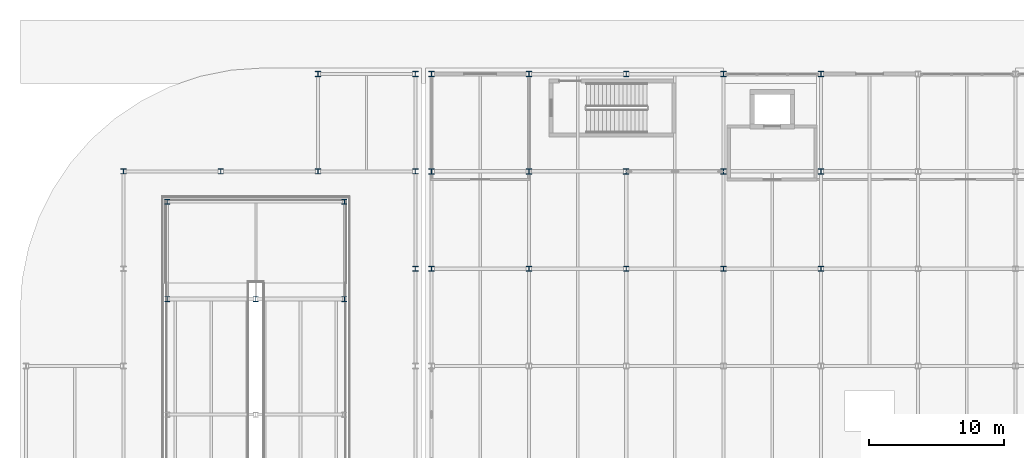
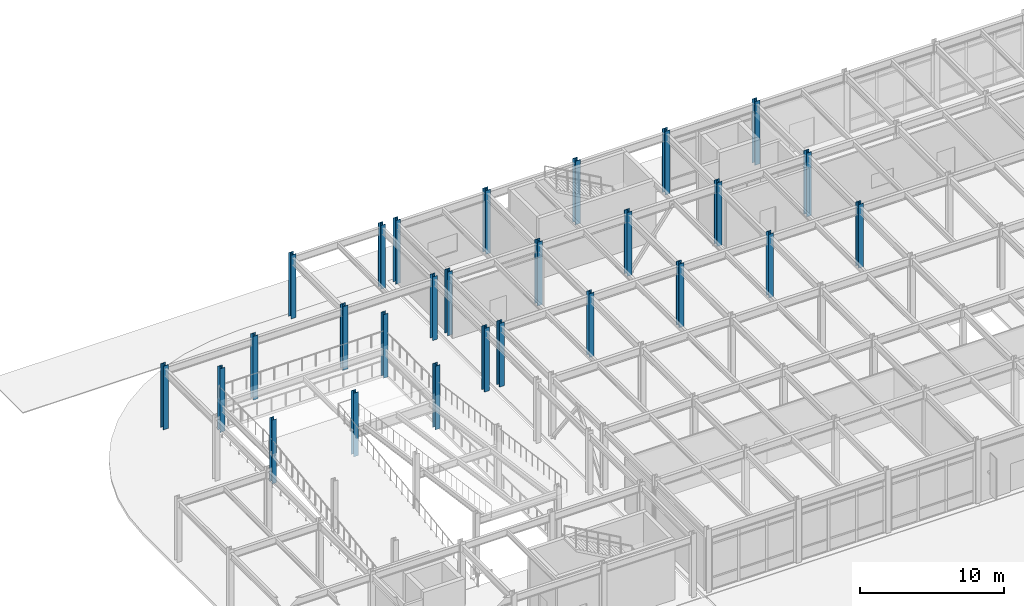
# One storey, part 7 of 104: 27 columns.
"""IFC4 building model written with IfcOpenShell, lengths in metres."""

from ifc_helpers import new_model, si_unit, direction, frame, origin, origin_2d, place, context, subcontext, project, spatial, i_section, extrude, material, material_profile, profile_set, type_object, element, save


model = new_model("IFC4")

# Units and contexts
model_context = context("Model", 3, precision=1e-05, world=origin(), true_north=direction((0.0, 1.0)))
body_context = subcontext(model_context, "Body", "Model", "MODEL_VIEW")
ifc_project = project(units=[si_unit("LENGTHUNIT", "METRE"), si_unit("AREAUNIT", "SQUARE_METRE"), si_unit("VOLUMEUNIT", "CUBIC_METRE"), si_unit("PLANEANGLEUNIT", "RADIAN"), si_unit("MASSUNIT", "GRAM", prefix="KILO")], contexts=[model_context])

# Site, building, storey
site_placement = place(None, origin())
site = spatial("IfcSite", under=ifc_project, at=site_placement, CompositionType="ELEMENT")
building_placement = place(site_placement, origin())
building = spatial("IfcBuilding", under=site, at=building_placement, Name="Vaelcorin Mobility Hub", CompositionType="ELEMENT")
storey_placement = place(building_placement, origin())
storey = spatial("IfcBuildingStorey", under=building, at=storey_placement, Name="L00", CompositionType="ELEMENT", Elevation=0.0)

# Columns
ifc_material = material(Name="Steel ASTM A992 Grade 50", Category="steel")
ifc_material_profile_1 = material_profile(ifc_material, i_section(OverallWidth=0.373046875, OverallDepth=0.373046875, WebThickness=0.016357421875, FlangeThickness=0.026123046875, FilletRadius=0.014892578125, at=origin_2d()), Name="W14X132")
ifc_profile_set_1 = profile_set([ifc_material_profile_1], Name="Steel ASTM A992 Grade 50")
column_type_1 = type_object("IfcColumnType", Name="COL-W14X132", PredefinedType="COLUMN", material=ifc_profile_set_1)
for number, where, z_axis, x_axis, name in (
    (1, (16.449951171875, 103.35009765625, 0.0), (0.0, 0.0, 1.0), (1.0, 0.0, 0.0), "Column V2W-RDRM-WN L00"),
    (2, (23.0, 103.35009765625, 0.0), (0.0, 0.0, 1.0), (1.0, 0.0, 0.0), "Column V2W-RDRM-MN L00"),
    (3, (29.550048828125, 103.35009765625, 0.0), (0.0, 0.0, 1.0), (1.0, 0.0, 0.0), "Column V2W-RDRM-EN L00"),
    (4, (16.449951171875, 110.550048828125, 0.0), (0.0, 0.0, 1.0), (1.0, 0.0, 0.0), "Column V2W-RDRM-WB L00"),
    (5, (29.550048828125, 110.550048828125, 0.0), (0.0, 0.0, 1.0), (1.0, 0.0, 0.0), "Column V2W-RDRM-EB L00"),
):
    element("IfcColumn", number, at=place(storey_placement, frame(where, z_axis=z_axis, x_axis=x_axis)), inside=storey, type_object=column_type_1, Name=name, PredefinedType="COLUMN", context=body_context, shape_type="SweptSolid", body=[
        extrude(i_section(OverallWidth=0.373046875, OverallDepth=0.373046875, WebThickness=0.016357421875, FlangeThickness=0.026123046875, FilletRadius=0.014892578125, at=origin_2d()), origin(), (0.0, 0.0, 1.0), 5.39990234375),
    ])
ifc_material_profile_2 = material_profile(ifc_material, i_section(OverallWidth=0.39599609375, OverallDepth=0.381103515625, WebThickness=0.018798828125, FlangeThickness=0.0302734375, FilletRadius=0.014892578125, at=origin_2d()), Name="W14X159")
ifc_profile_set_2 = profile_set([ifc_material_profile_2], Name="Steel ASTM A992 Grade 50")
column_type_2 = type_object("IfcColumnType", Name="COL-W14X159", PredefinedType="COLUMN", material=ifc_profile_set_2)
for number, where, z_axis, x_axis, name in (
    (6, (13.199951171875, 112.800048828125, 0.0), (0.0, 0.0, 1.0), (1.0, 0.0, 0.0), "Column V2W-G2x6 L00"),
    (7, (20.39990234375, 112.800048828125, 0.0), (0.0, 0.0, 1.0), (1.0, 0.0, 0.0), "Column V2W-G3x6 L00"),
    (8, (27.60009765625, 112.800048828125, 0.0), (0.0, 0.0, 1.0), (1.0, 0.0, 0.0), "Column V2W-G4x6 L00"),
    (9, (27.60009765625, 120.0, 0.0), (0.0, 0.0, 1.0), (1.0, 0.0, 0.0), "Column V2W-G4x7 L00"),
    (10, (34.800048828125, 105.60009765625, 0.0), (0.0, 0.0, 1.0), (1.0, 0.0, 0.0), "Column V2W-G5x5 L00"),
    (11, (34.800048828125, 112.800048828125, 0.0), (0.0, 0.0, 1.0), (1.0, 0.0, 0.0), "Column V2W-G5x6 L00"),
    (12, (34.800048828125, 120.0, 0.0), (0.0, 0.0, 1.0), (1.0, 0.0, 0.0), "Column V2W-G5x7 L00"),
):
    element("IfcColumn", number, at=place(storey_placement, frame(where, z_axis=z_axis, x_axis=x_axis)), inside=storey, type_object=column_type_2, Name=name, PredefinedType="COLUMN", context=body_context, shape_type="SweptSolid", body=[
        extrude(i_section(OverallWidth=0.39599609375, OverallDepth=0.381103515625, WebThickness=0.018798828125, FlangeThickness=0.0302734375, FilletRadius=0.014892578125, at=origin_2d()), origin(), (0.0, 0.0, 1.0), 5.39990234375),
    ])
ifc_material_profile_3 = material_profile(ifc_material, i_section(OverallWidth=0.39892578125, OverallDepth=0.39404296875, WebThickness=0.022705078125, FlangeThickness=0.03662109375, FilletRadius=0.014892578125, at=origin_2d()), Name="W14X193")
ifc_profile_set_3 = profile_set([ifc_material_profile_3], Name="Steel ASTM A992 Grade 50")
column_type_3 = type_object("IfcColumnType", Name="COL-W14X193", PredefinedType="COLUMN", material=ifc_profile_set_3)
for number, where, z_axis, x_axis, name in (
    (13, (36.0, 105.60009765625, 0.0), (0.0, 0.0, 1.0), (1.0, 0.0, 0.0), "Column V4-X01Y05 L00"),
    (14, (36.0, 120.0, 0.0), (0.0, 0.0, 1.0), (1.0, 0.0, 0.0), "Column V4-X01Y07 L00"),
    (15, (43.199951171875, 105.60009765625, 0.0), (0.0, 0.0, 1.0), (1.0, 0.0, 0.0), "Column V4-X02Y05 L00"),
    (16, (43.199951171875, 120.0, 0.0), (0.0, 0.0, 1.0), (1.0, 0.0, 0.0), "Column V4-X02Y07 L00"),
    (17, (50.39990234375, 105.60009765625, 0.0), (0.0, 0.0, 1.0), (1.0, 0.0, 0.0), "Column V4-X03Y05 L00"),
    (18, (50.39990234375, 120.0, 0.0), (0.0, 0.0, 1.0), (1.0, 0.0, 0.0), "Column V4-X03Y07 L00"),
    (19, (57.60009765625, 105.60009765625, 0.0), (0.0, 0.0, 1.0), (1.0, 0.0, 0.0), "Column V4-X04Y05 L00"),
    (20, (57.60009765625, 120.0, 0.0), (0.0, 0.0, 1.0), (1.0, 0.0, 0.0), "Column V4-X04Y07 L00"),
    (21, (64.800048828125, 105.60009765625, 0.0), (0.0, 0.0, 1.0), (1.0, 0.0, 0.0), "Column V4-X05Y05 L00"),
    (22, (64.800048828125, 120.0, 0.0), (0.0, 0.0, 1.0), (1.0, 0.0, 0.0), "Column V4-X05Y07 L00"),
):
    element("IfcColumn", number, at=place(storey_placement, frame(where, z_axis=z_axis, x_axis=x_axis)), inside=storey, type_object=column_type_3, Name=name, PredefinedType="COLUMN", context=body_context, shape_type="SweptSolid", body=[
        extrude(i_section(OverallWidth=0.39892578125, OverallDepth=0.39404296875, WebThickness=0.022705078125, FlangeThickness=0.03662109375, FilletRadius=0.014892578125, at=origin_2d()), origin(), (0.0, 0.0, 1.0), 5.39990234375),
    ])
ifc_material_profile_4 = material_profile(ifc_material, i_section(OverallWidth=0.404052734375, OverallDepth=0.406005859375, WebThickness=0.027099609375, FlangeThickness=0.043701171875, FilletRadius=0.014892578125, at=origin_2d()), Name="W14X233")
ifc_profile_set_4 = profile_set([ifc_material_profile_4], Name="Steel ASTM A992 Grade 50")
column_type_4 = type_object("IfcColumnType", Name="COL-W14X233", PredefinedType="COLUMN", material=ifc_profile_set_4)
for number, where, z_axis, x_axis, name in (
    (23, (36.0, 112.800048828125, 0.0), (0.0, 0.0, 1.0), (1.0, 0.0, 0.0), "Column V4-X01Y06 L00"),
    (24, (43.199951171875, 112.800048828125, 0.0), (0.0, 0.0, 1.0), (1.0, 0.0, 0.0), "Column V4-X02Y06 L00"),
    (25, (50.39990234375, 112.800048828125, 0.0), (0.0, 0.0, 1.0), (1.0, 0.0, 0.0), "Column V4-X03Y06 L00"),
    (26, (57.60009765625, 112.800048828125, 0.0), (0.0, 0.0, 1.0), (1.0, 0.0, 0.0), "Column V4-X04Y06 L00"),
    (27, (64.800048828125, 112.800048828125, 0.0), (0.0, 0.0, 1.0), (1.0, 0.0, 0.0), "Column V4-X05Y06 L00"),
):
    element("IfcColumn", number, at=place(storey_placement, frame(where, z_axis=z_axis, x_axis=x_axis)), inside=storey, type_object=column_type_4, Name=name, PredefinedType="COLUMN", context=body_context, shape_type="SweptSolid", body=[
        extrude(i_section(OverallWidth=0.404052734375, OverallDepth=0.406005859375, WebThickness=0.027099609375, FlangeThickness=0.043701171875, FilletRadius=0.014892578125, at=origin_2d()), origin(), (0.0, 0.0, 1.0), 5.39990234375),
    ])

save(model, "model.ifc")
